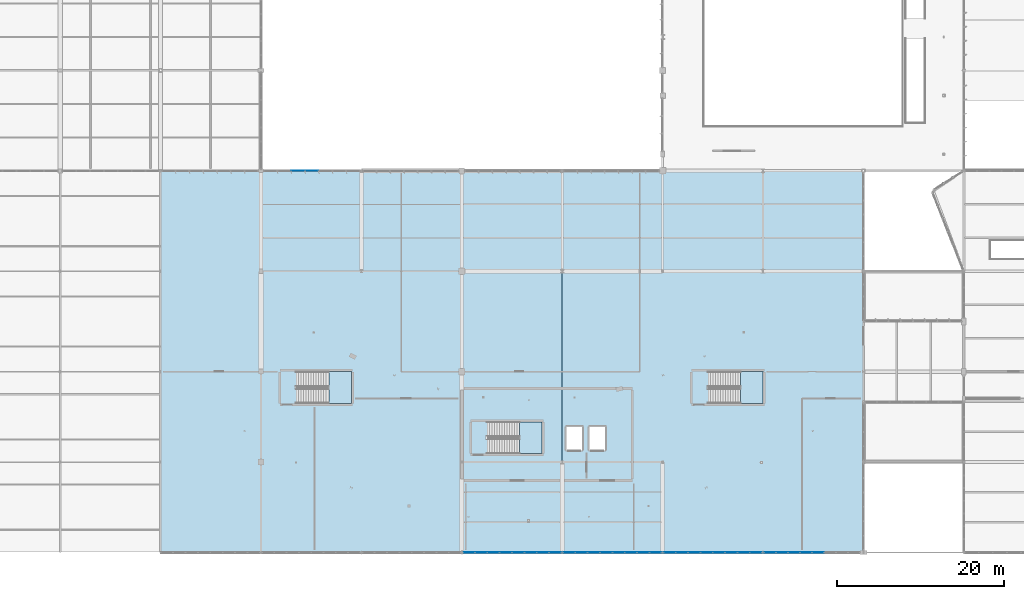
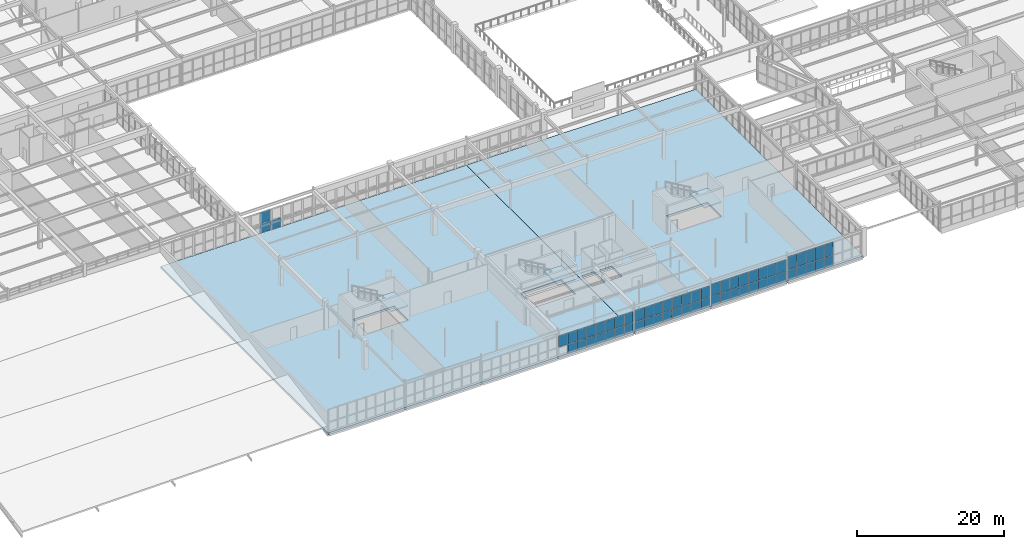
# One storey, part 137 of 226: 60 plates, 5 slabs, 8 elements without a shape of their own.
"""IFC4 building model written with IfcOpenShell, lengths in metres."""

from ifc_helpers import new_model, si_unit, direction, frame, origin, origin_2d, place, context, subcontext, project, spatial, polyline, rectangle, outline, extrude, material, layer, layer_set, type_object, element, aggregate, save


model = new_model("IFC4")

# Units and contexts
model_context = context("Model", 3, precision=1e-05, world=origin(), true_north=direction((0.0, 1.0)))
body_context = subcontext(model_context, "Body", "Model", "MODEL_VIEW")
ifc_project = project(units=[si_unit("LENGTHUNIT", "METRE"), si_unit("AREAUNIT", "SQUARE_METRE"), si_unit("VOLUMEUNIT", "CUBIC_METRE"), si_unit("PLANEANGLEUNIT", "RADIAN"), si_unit("MASSUNIT", "GRAM", prefix="KILO")], contexts=[model_context])

# Site, building, storey
site_placement = place(None, origin())
site = spatial("IfcSite", under=ifc_project, at=site_placement, CompositionType="ELEMENT")
building_placement = place(site_placement, origin())
building = spatial("IfcBuilding", under=site, at=building_placement, Name="Tarnwether General Hospital", CompositionType="ELEMENT")
storey_placement = place(building_placement, frame((0.0, 0.0, 4.800048828125)))
storey = spatial("IfcBuildingStorey", under=building, at=storey_placement, Name="L01", CompositionType="ELEMENT", Elevation=4.800048828125)

# Curtain wall, plates
ifc_material_1 = material(Name="Anodised aluminium", Category="aluminium")
ifc_layer_1 = layer(ifc_material_1, 0.159912109375)
ifc_layer_set_1 = layer_set([ifc_layer_1], Name="Anodised aluminium")
curtain_wall_type_1 = type_object("IfcCurtainWallType", Name="CW-13", PredefinedType="NOTDEFINED", material=ifc_layer_set_1)
curtain_wall_1_placement = place(storey_placement, origin())
curtain_wall_1 = element("IfcCurtainWall", 1, at=curtain_wall_1_placement, inside=storey, type_object=curtain_wall_type_1, Name="Curtain Wall CWG-L01-1316_0-0329", PredefinedType="NOTDEFINED")
ifc_material_2 = material(Name="Double glazed low-E glass", Category="glass")
ifc_layer_2 = layer(ifc_material_2, 0.028076171875)
ifc_layer_set_2 = layer_set([ifc_layer_2], Name="Double glazed low-E glass")
plate_type = type_object("IfcPlateType", Name="PT-CWP1", PredefinedType="CURTAIN_PANEL", material=ifc_layer_set_2)
plate_1_placement = place(storey_placement, frame((126.56640625, 0.0, 0.059814453125), z_axis=(0.0, 0.0, 1.0), x_axis=(-1.0, 0.0, 0.0)))
plate_1 = element("IfcPlate", 2, at=plate_1_placement, type_object=plate_type, Name="CW-13 panel 4.1", PredefinedType="CURTAIN_PANEL", context=body_context, shape_type="SweptSolid", body=[
    extrude(rectangle(XDim=1.3759765625, YDim=0.028076171875, at=origin_2d()), origin(), (0.0, 0.0, 1.0), 1.72216796875),
])
plate_2_placement = place(storey_placement, frame((126.56640625, 0.0, 1.842041015625), z_axis=(0.0, 0.0, 1.0), x_axis=(-1.0, 0.0, 0.0)))
plate_2 = element("IfcPlate", 3, at=plate_2_placement, type_object=plate_type, Name="CW-13 panel 4.2", PredefinedType="CURTAIN_PANEL", context=body_context, shape_type="SweptSolid", body=[
    extrude(rectangle(XDim=1.3759765625, YDim=0.028076171875, at=origin_2d()), origin(), (0.0, 0.0, 1.0), 2.125),
])
plate_3_placement = place(storey_placement, frame((125.130615234375, 0.0, 0.059814453125), z_axis=(0.0, 0.0, 1.0), x_axis=(-1.0, 0.0, 0.0)))
plate_3 = element("IfcPlate", 4, at=plate_3_placement, type_object=plate_type, Name="CW-13 panel 5.1", PredefinedType="CURTAIN_PANEL", context=body_context, shape_type="SweptSolid", body=[
    extrude(rectangle(XDim=1.3759765625, YDim=0.028076171875, at=origin_2d()), origin(), (0.0, 0.0, 1.0), 1.72216796875),
])
plate_4_placement = place(storey_placement, frame((125.130615234375, 0.0, 1.842041015625), z_axis=(0.0, 0.0, 1.0), x_axis=(-1.0, 0.0, 0.0)))
plate_4 = element("IfcPlate", 5, at=plate_4_placement, type_object=plate_type, Name="CW-13 panel 5.2", PredefinedType="CURTAIN_PANEL", context=body_context, shape_type="SweptSolid", body=[
    extrude(rectangle(XDim=1.3759765625, YDim=0.028076171875, at=origin_2d()), origin(), (0.0, 0.0, 1.0), 2.125),
])
plate_5_placement = place(storey_placement, frame((123.694580078125, 0.0, 0.059814453125), z_axis=(0.0, 0.0, 1.0), x_axis=(-1.0, 0.0, 0.0)))
plate_5 = element("IfcPlate", 6, at=plate_5_placement, type_object=plate_type, Name="CW-13 panel 6.1", PredefinedType="CURTAIN_PANEL", context=body_context, shape_type="SweptSolid", body=[
    extrude(rectangle(XDim=1.3759765625, YDim=0.028076171875, at=origin_2d()), origin(), (0.0, 0.0, 1.0), 1.72216796875),
])
plate_6_placement = place(storey_placement, frame((123.694580078125, 0.0, 1.842041015625), z_axis=(0.0, 0.0, 1.0), x_axis=(-1.0, 0.0, 0.0)))
plate_6 = element("IfcPlate", 7, at=plate_6_placement, type_object=plate_type, Name="CW-13 panel 6.2", PredefinedType="CURTAIN_PANEL", context=body_context, shape_type="SweptSolid", body=[
    extrude(rectangle(XDim=1.3759765625, YDim=0.028076171875, at=origin_2d()), origin(), (0.0, 0.0, 1.0), 2.125),
])
plate_7_placement = place(storey_placement, frame((122.2587890625, 0.0, 0.059814453125), z_axis=(0.0, 0.0, 1.0), x_axis=(-1.0, 0.0, 0.0)))
plate_7 = element("IfcPlate", 8, at=plate_7_placement, type_object=plate_type, Name="CW-13 panel 7.1", PredefinedType="CURTAIN_PANEL", context=body_context, shape_type="SweptSolid", body=[
    extrude(rectangle(XDim=1.3759765625, YDim=0.028076171875, at=origin_2d()), origin(), (0.0, 0.0, 1.0), 1.72216796875),
])
plate_8_placement = place(storey_placement, frame((122.2587890625, 0.0, 1.842041015625), z_axis=(0.0, 0.0, 1.0), x_axis=(-1.0, 0.0, 0.0)))
plate_8 = element("IfcPlate", 9, at=plate_8_placement, type_object=plate_type, Name="CW-13 panel 7.2", PredefinedType="CURTAIN_PANEL", context=body_context, shape_type="SweptSolid", body=[
    extrude(rectangle(XDim=1.3759765625, YDim=0.028076171875, at=origin_2d()), origin(), (0.0, 0.0, 1.0), 2.125),
])
plate_9_placement = place(storey_placement, frame((120.837890625, 0.0, 0.059814453125), z_axis=(0.0, 0.0, 1.0), x_axis=(-1.0, 0.0, 0.0)))
plate_9 = element("IfcPlate", 10, at=plate_9_placement, type_object=plate_type, Name="CW-13 panel 8.1", PredefinedType="CURTAIN_PANEL", context=body_context, shape_type="SweptSolid", body=[
    extrude(rectangle(XDim=1.345947265625, YDim=0.028076171875, at=origin_2d()), origin(), (0.0, 0.0, 1.0), 1.72216796875),
])
plate_10_placement = place(storey_placement, frame((120.837890625, 0.0, 1.842041015625), z_axis=(0.0, 0.0, 1.0), x_axis=(-1.0, 0.0, 0.0)))
plate_10 = element("IfcPlate", 11, at=plate_10_placement, type_object=plate_type, Name="CW-13 panel 8.2", PredefinedType="CURTAIN_PANEL", context=body_context, shape_type="SweptSolid", body=[
    extrude(rectangle(XDim=1.345947265625, YDim=0.028076171875, at=origin_2d()), origin(), (0.0, 0.0, 1.0), 2.125),
])
aggregate(curtain_wall_1, [plate_1, plate_2, plate_3, plate_4, plate_5, plate_6, plate_7, plate_8, plate_9, plate_10])

curtain_wall_2_placement = place(storey_placement, origin())
curtain_wall_2 = element("IfcCurtainWall", 12, at=curtain_wall_2_placement, inside=storey, type_object=curtain_wall_type_1, Name="Curtain Wall CWG-L01-1199_0-0330", PredefinedType="NOTDEFINED")
plate_11_placement = place(storey_placement, frame((119.14208984375, 0.0, 0.06005859375), z_axis=(0.0, 0.0, 1.0), x_axis=(-1.0, 0.0, 0.0)))
plate_11 = element("IfcPlate", 13, at=plate_11_placement, type_object=plate_type, Name="CW-13 panel 1.1", PredefinedType="CURTAIN_PANEL", context=body_context, shape_type="SweptSolid", body=[
    extrude(rectangle(XDim=1.385986328125, YDim=0.028076171875, at=origin_2d()), origin(), (0.0, 0.0, 1.0), 1.56591796875),
])
plate_12_placement = place(storey_placement, frame((119.14208984375, 0.0, 1.685791015625), z_axis=(0.0, 0.0, 1.0), x_axis=(-1.0, 0.0, 0.0)))
plate_12 = element("IfcPlate", 14, at=plate_12_placement, type_object=plate_type, Name="CW-13 panel 1.2", PredefinedType="CURTAIN_PANEL", context=body_context, shape_type="SweptSolid", body=[
    extrude(rectangle(XDim=1.385986328125, YDim=0.028076171875, at=origin_2d()), origin(), (0.0, 0.0, 1.0), 1.93408203125),
])
plate_13_placement = place(storey_placement, frame((117.680908203125, 0.0, 0.06005859375), z_axis=(0.0, 0.0, 1.0), x_axis=(-1.0, 0.0, 0.0)))
plate_13 = element("IfcPlate", 15, at=plate_13_placement, type_object=plate_type, Name="CW-13 panel 2.1", PredefinedType="CURTAIN_PANEL", context=body_context, shape_type="SweptSolid", body=[
    extrude(rectangle(XDim=1.416015625, YDim=0.028076171875, at=origin_2d()), origin(), (0.0, 0.0, 1.0), 1.56591796875),
])
plate_14_placement = place(storey_placement, frame((117.680908203125, 0.0, 1.685791015625), z_axis=(0.0, 0.0, 1.0), x_axis=(-1.0, 0.0, 0.0)))
plate_14 = element("IfcPlate", 16, at=plate_14_placement, type_object=plate_type, Name="CW-13 panel 2.2", PredefinedType="CURTAIN_PANEL", context=body_context, shape_type="SweptSolid", body=[
    extrude(rectangle(XDim=1.416015625, YDim=0.028076171875, at=origin_2d()), origin(), (0.0, 0.0, 1.0), 1.93408203125),
])
plate_15_placement = place(storey_placement, frame((116.205078125, 0.0, 0.06005859375), z_axis=(0.0, 0.0, 1.0), x_axis=(-1.0, 0.0, 0.0)))
plate_15 = element("IfcPlate", 17, at=plate_15_placement, type_object=plate_type, Name="CW-13 panel 3.1", PredefinedType="CURTAIN_PANEL", context=body_context, shape_type="SweptSolid", body=[
    extrude(rectangle(XDim=1.416015625, YDim=0.028076171875, at=origin_2d()), origin(), (0.0, 0.0, 1.0), 1.56591796875),
])
plate_16_placement = place(storey_placement, frame((116.205078125, 0.0, 1.685791015625), z_axis=(0.0, 0.0, 1.0), x_axis=(-1.0, 0.0, 0.0)))
plate_16 = element("IfcPlate", 18, at=plate_16_placement, type_object=plate_type, Name="CW-13 panel 3.2", PredefinedType="CURTAIN_PANEL", context=body_context, shape_type="SweptSolid", body=[
    extrude(rectangle(XDim=1.416015625, YDim=0.028076171875, at=origin_2d()), origin(), (0.0, 0.0, 1.0), 1.93408203125),
])
plate_17_placement = place(storey_placement, frame((114.72900390625, 0.0, 0.06005859375), z_axis=(0.0, 0.0, 1.0), x_axis=(-1.0, 0.0, 0.0)))
plate_17 = element("IfcPlate", 19, at=plate_17_placement, type_object=plate_type, Name="CW-13 panel 4.1", PredefinedType="CURTAIN_PANEL", context=body_context, shape_type="SweptSolid", body=[
    extrude(rectangle(XDim=1.416015625, YDim=0.028076171875, at=origin_2d()), origin(), (0.0, 0.0, 1.0), 1.56591796875),
])
plate_18_placement = place(storey_placement, frame((114.72900390625, 0.0, 1.685791015625), z_axis=(0.0, 0.0, 1.0), x_axis=(-1.0, 0.0, 0.0)))
plate_18 = element("IfcPlate", 20, at=plate_18_placement, type_object=plate_type, Name="CW-13 panel 4.2", PredefinedType="CURTAIN_PANEL", context=body_context, shape_type="SweptSolid", body=[
    extrude(rectangle(XDim=1.416015625, YDim=0.028076171875, at=origin_2d()), origin(), (0.0, 0.0, 1.0), 1.93408203125),
])
plate_19_placement = place(storey_placement, frame((113.2529296875, 0.0, 0.06005859375), z_axis=(0.0, 0.0, 1.0), x_axis=(-1.0, 0.0, 0.0)))
plate_19 = element("IfcPlate", 21, at=plate_19_placement, type_object=plate_type, Name="CW-13 panel 5.1", PredefinedType="CURTAIN_PANEL", context=body_context, shape_type="SweptSolid", body=[
    extrude(rectangle(XDim=1.416015625, YDim=0.028076171875, at=origin_2d()), origin(), (0.0, 0.0, 1.0), 1.56591796875),
])
plate_20_placement = place(storey_placement, frame((113.2529296875, 0.0, 1.685791015625), z_axis=(0.0, 0.0, 1.0), x_axis=(-1.0, 0.0, 0.0)))
plate_20 = element("IfcPlate", 22, at=plate_20_placement, type_object=plate_type, Name="CW-13 panel 5.2", PredefinedType="CURTAIN_PANEL", context=body_context, shape_type="SweptSolid", body=[
    extrude(rectangle(XDim=1.416015625, YDim=0.028076171875, at=origin_2d()), origin(), (0.0, 0.0, 1.0), 1.93408203125),
])
plate_21_placement = place(storey_placement, frame((111.777099609375, 0.0, 0.06005859375), z_axis=(0.0, 0.0, 1.0), x_axis=(-1.0, 0.0, 0.0)))
plate_21 = element("IfcPlate", 23, at=plate_21_placement, type_object=plate_type, Name="CW-13 panel 6.1", PredefinedType="CURTAIN_PANEL", context=body_context, shape_type="SweptSolid", body=[
    extrude(rectangle(XDim=1.416015625, YDim=0.028076171875, at=origin_2d()), origin(), (0.0, 0.0, 1.0), 1.56591796875),
])
plate_22_placement = place(storey_placement, frame((111.777099609375, 0.0, 1.685791015625), z_axis=(0.0, 0.0, 1.0), x_axis=(-1.0, 0.0, 0.0)))
plate_22 = element("IfcPlate", 24, at=plate_22_placement, type_object=plate_type, Name="CW-13 panel 6.2", PredefinedType="CURTAIN_PANEL", context=body_context, shape_type="SweptSolid", body=[
    extrude(rectangle(XDim=1.416015625, YDim=0.028076171875, at=origin_2d()), origin(), (0.0, 0.0, 1.0), 1.93408203125),
])
plate_23_placement = place(storey_placement, frame((110.301025390625, 0.0, 0.06005859375), z_axis=(0.0, 0.0, 1.0), x_axis=(-1.0, 0.0, 0.0)))
plate_23 = element("IfcPlate", 25, at=plate_23_placement, type_object=plate_type, Name="CW-13 panel 7.1", PredefinedType="CURTAIN_PANEL", context=body_context, shape_type="SweptSolid", body=[
    extrude(rectangle(XDim=1.416015625, YDim=0.028076171875, at=origin_2d()), origin(), (0.0, 0.0, 1.0), 1.56591796875),
])
plate_24_placement = place(storey_placement, frame((110.301025390625, 0.0, 1.685791015625), z_axis=(0.0, 0.0, 1.0), x_axis=(-1.0, 0.0, 0.0)))
plate_24 = element("IfcPlate", 26, at=plate_24_placement, type_object=plate_type, Name="CW-13 panel 7.2", PredefinedType="CURTAIN_PANEL", context=body_context, shape_type="SweptSolid", body=[
    extrude(rectangle(XDim=1.416015625, YDim=0.028076171875, at=origin_2d()), origin(), (0.0, 0.0, 1.0), 1.93408203125),
])
plate_25_placement = place(storey_placement, frame((108.840087890625, 0.0, 0.06005859375), z_axis=(0.0, 0.0, 1.0), x_axis=(-1.0, 0.0, 0.0)))
plate_25 = element("IfcPlate", 27, at=plate_25_placement, type_object=plate_type, Name="CW-13 panel 8.1", PredefinedType="CURTAIN_PANEL", context=body_context, shape_type="SweptSolid", body=[
    extrude(rectangle(XDim=1.385986328125, YDim=0.028076171875, at=origin_2d()), origin(), (0.0, 0.0, 1.0), 1.56591796875),
])
plate_26_placement = place(storey_placement, frame((108.840087890625, 0.0, 1.685791015625), z_axis=(0.0, 0.0, 1.0), x_axis=(-1.0, 0.0, 0.0)))
plate_26 = element("IfcPlate", 28, at=plate_26_placement, type_object=plate_type, Name="CW-13 panel 8.2", PredefinedType="CURTAIN_PANEL", context=body_context, shape_type="SweptSolid", body=[
    extrude(rectangle(XDim=1.385986328125, YDim=0.028076171875, at=origin_2d()), origin(), (0.0, 0.0, 1.0), 1.93408203125),
])
aggregate(curtain_wall_2, [plate_11, plate_12, plate_13, plate_14, plate_15, plate_16, plate_17, plate_18, plate_19, plate_20, plate_21, plate_22, plate_23, plate_24, plate_25, plate_26])

curtain_wall_3_placement = place(storey_placement, origin())
curtain_wall_3 = element("IfcCurtainWall", 29, at=curtain_wall_3_placement, inside=storey, type_object=curtain_wall_type_1, Name="Curtain Wall CWG-L01-1079_0-0331", PredefinedType="NOTDEFINED")
plate_27_placement = place(storey_placement, frame((107.15869140625, 0.0, 0.059814453125), z_axis=(0.0, 0.0, 1.0), x_axis=(-1.0, 0.0, 0.0)))
plate_27 = element("IfcPlate", 30, at=plate_27_placement, type_object=plate_type, Name="CW-13 panel 1.1", PredefinedType="CURTAIN_PANEL", context=body_context, shape_type="SweptSolid", body=[
    extrude(rectangle(XDim=1.388671875, YDim=0.028076171875, at=origin_2d()), origin(), (0.0, 0.0, 1.0), 1.49853515625),
])
plate_28_placement = place(storey_placement, frame((107.15869140625, 0.0, 1.618408203125), z_axis=(0.0, 0.0, 1.0), x_axis=(-1.0, 0.0, 0.0)))
plate_28 = element("IfcPlate", 31, at=plate_28_placement, type_object=plate_type, Name="CW-13 panel 1.2", PredefinedType="CURTAIN_PANEL", context=body_context, shape_type="SweptSolid", body=[
    extrude(rectangle(XDim=1.388671875, YDim=0.028076171875, at=origin_2d()), origin(), (0.0, 0.0, 1.0), 1.8515625),
])
plate_29_placement = place(storey_placement, frame((105.69482421875, 0.0, 0.059814453125), z_axis=(0.0, 0.0, 1.0), x_axis=(-1.0, 0.0, 0.0)))
plate_29 = element("IfcPlate", 32, at=plate_29_placement, type_object=plate_type, Name="CW-13 panel 2.1", PredefinedType="CURTAIN_PANEL", context=body_context, shape_type="SweptSolid", body=[
    extrude(rectangle(XDim=1.418701171875, YDim=0.028076171875, at=origin_2d()), origin(), (0.0, 0.0, 1.0), 1.49853515625),
])
plate_30_placement = place(storey_placement, frame((105.69482421875, 0.0, 1.618408203125), z_axis=(0.0, 0.0, 1.0), x_axis=(-1.0, 0.0, 0.0)))
plate_30 = element("IfcPlate", 33, at=plate_30_placement, type_object=plate_type, Name="CW-13 panel 2.2", PredefinedType="CURTAIN_PANEL", context=body_context, shape_type="SweptSolid", body=[
    extrude(rectangle(XDim=1.418701171875, YDim=0.028076171875, at=origin_2d()), origin(), (0.0, 0.0, 1.0), 1.8515625),
])
plate_31_placement = place(storey_placement, frame((104.216064453125, 0.0, 0.059814453125), z_axis=(0.0, 0.0, 1.0), x_axis=(-1.0, 0.0, 0.0)))
plate_31 = element("IfcPlate", 34, at=plate_31_placement, type_object=plate_type, Name="CW-13 panel 3.1", PredefinedType="CURTAIN_PANEL", context=body_context, shape_type="SweptSolid", body=[
    extrude(rectangle(XDim=1.418701171875, YDim=0.028076171875, at=origin_2d()), origin(), (0.0, 0.0, 1.0), 1.49853515625),
])
plate_32_placement = place(storey_placement, frame((104.216064453125, 0.0, 1.618408203125), z_axis=(0.0, 0.0, 1.0), x_axis=(-1.0, 0.0, 0.0)))
plate_32 = element("IfcPlate", 35, at=plate_32_placement, type_object=plate_type, Name="CW-13 panel 3.2", PredefinedType="CURTAIN_PANEL", context=body_context, shape_type="SweptSolid", body=[
    extrude(rectangle(XDim=1.418701171875, YDim=0.028076171875, at=origin_2d()), origin(), (0.0, 0.0, 1.0), 1.8515625),
])
plate_33_placement = place(storey_placement, frame((102.7373046875, 0.0, 0.059814453125), z_axis=(0.0, 0.0, 1.0), x_axis=(-1.0, 0.0, 0.0)))
plate_33 = element("IfcPlate", 36, at=plate_33_placement, type_object=plate_type, Name="CW-13 panel 4.1", PredefinedType="CURTAIN_PANEL", context=body_context, shape_type="SweptSolid", body=[
    extrude(rectangle(XDim=1.418701171875, YDim=0.028076171875, at=origin_2d()), origin(), (0.0, 0.0, 1.0), 1.49853515625),
])
plate_34_placement = place(storey_placement, frame((102.7373046875, 0.0, 1.618408203125), z_axis=(0.0, 0.0, 1.0), x_axis=(-1.0, 0.0, 0.0)))
plate_34 = element("IfcPlate", 37, at=plate_34_placement, type_object=plate_type, Name="CW-13 panel 4.2", PredefinedType="CURTAIN_PANEL", context=body_context, shape_type="SweptSolid", body=[
    extrude(rectangle(XDim=1.418701171875, YDim=0.028076171875, at=origin_2d()), origin(), (0.0, 0.0, 1.0), 1.8515625),
])
plate_35_placement = place(storey_placement, frame((101.258544921875, 0.0, 0.059814453125), z_axis=(0.0, 0.0, 1.0), x_axis=(-1.0, 0.0, 0.0)))
plate_35 = element("IfcPlate", 38, at=plate_35_placement, type_object=plate_type, Name="CW-13 panel 5.1", PredefinedType="CURTAIN_PANEL", context=body_context, shape_type="SweptSolid", body=[
    extrude(rectangle(XDim=1.418701171875, YDim=0.028076171875, at=origin_2d()), origin(), (0.0, 0.0, 1.0), 1.49853515625),
])
plate_36_placement = place(storey_placement, frame((101.258544921875, 0.0, 1.618408203125), z_axis=(0.0, 0.0, 1.0), x_axis=(-1.0, 0.0, 0.0)))
plate_36 = element("IfcPlate", 39, at=plate_36_placement, type_object=plate_type, Name="CW-13 panel 5.2", PredefinedType="CURTAIN_PANEL", context=body_context, shape_type="SweptSolid", body=[
    extrude(rectangle(XDim=1.418701171875, YDim=0.028076171875, at=origin_2d()), origin(), (0.0, 0.0, 1.0), 1.8515625),
])
plate_37_placement = place(storey_placement, frame((99.77978515625, 0.0, 0.059814453125), z_axis=(0.0, 0.0, 1.0), x_axis=(-1.0, 0.0, 0.0)))
plate_37 = element("IfcPlate", 40, at=plate_37_placement, type_object=plate_type, Name="CW-13 panel 6.1", PredefinedType="CURTAIN_PANEL", context=body_context, shape_type="SweptSolid", body=[
    extrude(rectangle(XDim=1.418701171875, YDim=0.028076171875, at=origin_2d()), origin(), (0.0, 0.0, 1.0), 1.49853515625),
])
plate_38_placement = place(storey_placement, frame((99.77978515625, 0.0, 1.618408203125), z_axis=(0.0, 0.0, 1.0), x_axis=(-1.0, 0.0, 0.0)))
plate_38 = element("IfcPlate", 41, at=plate_38_placement, type_object=plate_type, Name="CW-13 panel 6.2", PredefinedType="CURTAIN_PANEL", context=body_context, shape_type="SweptSolid", body=[
    extrude(rectangle(XDim=1.418701171875, YDim=0.028076171875, at=origin_2d()), origin(), (0.0, 0.0, 1.0), 1.8515625),
])
plate_39_placement = place(storey_placement, frame((98.301025390625, 0.0, 0.059814453125), z_axis=(0.0, 0.0, 1.0), x_axis=(-1.0, 0.0, 0.0)))
plate_39 = element("IfcPlate", 42, at=plate_39_placement, type_object=plate_type, Name="CW-13 panel 7.1", PredefinedType="CURTAIN_PANEL", context=body_context, shape_type="SweptSolid", body=[
    extrude(rectangle(XDim=1.418701171875, YDim=0.028076171875, at=origin_2d()), origin(), (0.0, 0.0, 1.0), 1.49853515625),
])
plate_40_placement = place(storey_placement, frame((98.301025390625, 0.0, 1.618408203125), z_axis=(0.0, 0.0, 1.0), x_axis=(-1.0, 0.0, 0.0)))
plate_40 = element("IfcPlate", 43, at=plate_40_placement, type_object=plate_type, Name="CW-13 panel 7.2", PredefinedType="CURTAIN_PANEL", context=body_context, shape_type="SweptSolid", body=[
    extrude(rectangle(XDim=1.418701171875, YDim=0.028076171875, at=origin_2d()), origin(), (0.0, 0.0, 1.0), 1.8515625),
])
plate_41_placement = place(storey_placement, frame((96.83740234375, 0.0, 0.059814453125), z_axis=(0.0, 0.0, 1.0), x_axis=(-1.0, 0.0, 0.0)))
plate_41 = element("IfcPlate", 44, at=plate_41_placement, type_object=plate_type, Name="CW-13 panel 8.1", PredefinedType="CURTAIN_PANEL", context=body_context, shape_type="SweptSolid", body=[
    extrude(rectangle(XDim=1.388671875, YDim=0.028076171875, at=origin_2d()), origin(), (0.0, 0.0, 1.0), 1.49853515625),
])
plate_42_placement = place(storey_placement, frame((96.83740234375, 0.0, 1.618408203125), z_axis=(0.0, 0.0, 1.0), x_axis=(-1.0, 0.0, 0.0)))
plate_42 = element("IfcPlate", 45, at=plate_42_placement, type_object=plate_type, Name="CW-13 panel 8.2", PredefinedType="CURTAIN_PANEL", context=body_context, shape_type="SweptSolid", body=[
    extrude(rectangle(XDim=1.388671875, YDim=0.028076171875, at=origin_2d()), origin(), (0.0, 0.0, 1.0), 1.8515625),
])
aggregate(curtain_wall_3, [plate_27, plate_28, plate_29, plate_30, plate_31, plate_32, plate_33, plate_34, plate_35, plate_36, plate_37, plate_38, plate_39, plate_40, plate_41, plate_42])

curtain_wall_4_placement = place(storey_placement, origin())
curtain_wall_4 = element("IfcCurtainWall", 46, at=curtain_wall_4_placement, inside=storey, type_object=curtain_wall_type_1, Name="Curtain Wall CWG-L01-959_0-0332", PredefinedType="NOTDEFINED")
plate_43_placement = place(storey_placement, frame((95.162353515625, 0.0, 0.059814453125), z_axis=(0.0, 0.0, 1.0), x_axis=(-1.0, 0.0, 0.0)))
plate_43 = element("IfcPlate", 47, at=plate_43_placement, type_object=plate_type, Name="CW-13 panel 1.1", PredefinedType="CURTAIN_PANEL", context=body_context, shape_type="SweptSolid", body=[
    extrude(rectangle(XDim=1.38916015625, YDim=0.028076171875, at=origin_2d()), origin(), (0.0, 0.0, 1.0), 1.47607421875),
])
plate_44_placement = place(storey_placement, frame((95.162353515625, 0.0, 1.59619140625), z_axis=(0.0, 0.0, 1.0), x_axis=(-1.0, 0.0, 0.0)))
plate_44 = element("IfcPlate", 48, at=plate_44_placement, type_object=plate_type, Name="CW-13 panel 1.2", PredefinedType="CURTAIN_PANEL", context=body_context, shape_type="SweptSolid", body=[
    extrude(rectangle(XDim=1.38916015625, YDim=0.028076171875, at=origin_2d()), origin(), (0.0, 0.0, 1.0), 1.823974609375),
])
plate_45_placement = place(storey_placement, frame((93.6982421875, 0.0, 0.059814453125), z_axis=(0.0, 0.0, 1.0), x_axis=(-1.0, 0.0, 0.0)))
plate_45 = element("IfcPlate", 49, at=plate_45_placement, type_object=plate_type, Name="CW-13 panel 2.1", PredefinedType="CURTAIN_PANEL", context=body_context, shape_type="SweptSolid", body=[
    extrude(rectangle(XDim=1.419189453125, YDim=0.028076171875, at=origin_2d()), origin(), (0.0, 0.0, 1.0), 1.47607421875),
])
plate_46_placement = place(storey_placement, frame((93.6982421875, 0.0, 1.59619140625), z_axis=(0.0, 0.0, 1.0), x_axis=(-1.0, 0.0, 0.0)))
plate_46 = element("IfcPlate", 50, at=plate_46_placement, type_object=plate_type, Name="CW-13 panel 2.2", PredefinedType="CURTAIN_PANEL", context=body_context, shape_type="SweptSolid", body=[
    extrude(rectangle(XDim=1.419189453125, YDim=0.028076171875, at=origin_2d()), origin(), (0.0, 0.0, 1.0), 1.823974609375),
])
plate_47_placement = place(storey_placement, frame((92.218994140625, 0.0, 0.059814453125), z_axis=(0.0, 0.0, 1.0), x_axis=(-1.0, 0.0, 0.0)))
plate_47 = element("IfcPlate", 51, at=plate_47_placement, type_object=plate_type, Name="CW-13 panel 3.1", PredefinedType="CURTAIN_PANEL", context=body_context, shape_type="SweptSolid", body=[
    extrude(rectangle(XDim=1.419189453125, YDim=0.028076171875, at=origin_2d()), origin(), (0.0, 0.0, 1.0), 1.47607421875),
])
plate_48_placement = place(storey_placement, frame((92.218994140625, 0.0, 1.59619140625), z_axis=(0.0, 0.0, 1.0), x_axis=(-1.0, 0.0, 0.0)))
plate_48 = element("IfcPlate", 52, at=plate_48_placement, type_object=plate_type, Name="CW-13 panel 3.2", PredefinedType="CURTAIN_PANEL", context=body_context, shape_type="SweptSolid", body=[
    extrude(rectangle(XDim=1.419189453125, YDim=0.028076171875, at=origin_2d()), origin(), (0.0, 0.0, 1.0), 1.823974609375),
])
plate_49_placement = place(storey_placement, frame((90.73974609375, 0.0, 0.059814453125), z_axis=(0.0, 0.0, 1.0), x_axis=(-1.0, 0.0, 0.0)))
plate_49 = element("IfcPlate", 53, at=plate_49_placement, type_object=plate_type, Name="CW-13 panel 4.1", PredefinedType="CURTAIN_PANEL", context=body_context, shape_type="SweptSolid", body=[
    extrude(rectangle(XDim=1.419189453125, YDim=0.028076171875, at=origin_2d()), origin(), (0.0, 0.0, 1.0), 1.47607421875),
])
plate_50_placement = place(storey_placement, frame((90.73974609375, 0.0, 1.59619140625), z_axis=(0.0, 0.0, 1.0), x_axis=(-1.0, 0.0, 0.0)))
plate_50 = element("IfcPlate", 54, at=plate_50_placement, type_object=plate_type, Name="CW-13 panel 4.2", PredefinedType="CURTAIN_PANEL", context=body_context, shape_type="SweptSolid", body=[
    extrude(rectangle(XDim=1.419189453125, YDim=0.028076171875, at=origin_2d()), origin(), (0.0, 0.0, 1.0), 1.823974609375),
])
plate_51_placement = place(storey_placement, frame((89.26025390625, 0.0, 0.059814453125), z_axis=(0.0, 0.0, 1.0), x_axis=(-1.0, 0.0, 0.0)))
plate_51 = element("IfcPlate", 55, at=plate_51_placement, type_object=plate_type, Name="CW-13 panel 5.1", PredefinedType="CURTAIN_PANEL", context=body_context, shape_type="SweptSolid", body=[
    extrude(rectangle(XDim=1.419189453125, YDim=0.028076171875, at=origin_2d()), origin(), (0.0, 0.0, 1.0), 1.47607421875),
])
plate_52_placement = place(storey_placement, frame((89.26025390625, 0.0, 1.59619140625), z_axis=(0.0, 0.0, 1.0), x_axis=(-1.0, 0.0, 0.0)))
plate_52 = element("IfcPlate", 56, at=plate_52_placement, type_object=plate_type, Name="CW-13 panel 5.2", PredefinedType="CURTAIN_PANEL", context=body_context, shape_type="SweptSolid", body=[
    extrude(rectangle(XDim=1.419189453125, YDim=0.028076171875, at=origin_2d()), origin(), (0.0, 0.0, 1.0), 1.823974609375),
])
plate_53_placement = place(storey_placement, frame((87.781005859375, 0.0, 0.059814453125), z_axis=(0.0, 0.0, 1.0), x_axis=(-1.0, 0.0, 0.0)))
plate_53 = element("IfcPlate", 57, at=plate_53_placement, type_object=plate_type, Name="CW-13 panel 6.1", PredefinedType="CURTAIN_PANEL", context=body_context, shape_type="SweptSolid", body=[
    extrude(rectangle(XDim=1.419189453125, YDim=0.028076171875, at=origin_2d()), origin(), (0.0, 0.0, 1.0), 1.47607421875),
])
plate_54_placement = place(storey_placement, frame((87.781005859375, 0.0, 1.59619140625), z_axis=(0.0, 0.0, 1.0), x_axis=(-1.0, 0.0, 0.0)))
plate_54 = element("IfcPlate", 58, at=plate_54_placement, type_object=plate_type, Name="CW-13 panel 6.2", PredefinedType="CURTAIN_PANEL", context=body_context, shape_type="SweptSolid", body=[
    extrude(rectangle(XDim=1.419189453125, YDim=0.028076171875, at=origin_2d()), origin(), (0.0, 0.0, 1.0), 1.823974609375),
])
plate_55_placement = place(storey_placement, frame((86.3017578125, 0.0, 0.059814453125), z_axis=(0.0, 0.0, 1.0), x_axis=(-1.0, 0.0, 0.0)))
plate_55 = element("IfcPlate", 59, at=plate_55_placement, type_object=plate_type, Name="CW-13 panel 7.1", PredefinedType="CURTAIN_PANEL", context=body_context, shape_type="SweptSolid", body=[
    extrude(rectangle(XDim=1.419189453125, YDim=0.028076171875, at=origin_2d()), origin(), (0.0, 0.0, 1.0), 1.47607421875),
])
plate_56_placement = place(storey_placement, frame((86.3017578125, 0.0, 1.59619140625), z_axis=(0.0, 0.0, 1.0), x_axis=(-1.0, 0.0, 0.0)))
plate_56 = element("IfcPlate", 60, at=plate_56_placement, type_object=plate_type, Name="CW-13 panel 7.2", PredefinedType="CURTAIN_PANEL", context=body_context, shape_type="SweptSolid", body=[
    extrude(rectangle(XDim=1.419189453125, YDim=0.028076171875, at=origin_2d()), origin(), (0.0, 0.0, 1.0), 1.823974609375),
])
plate_57_placement = place(storey_placement, frame((84.837646484375, 0.0, 1.59619140625), z_axis=(0.0, 0.0, 1.0), x_axis=(-1.0, 0.0, 0.0)))
plate_57 = element("IfcPlate", 61, at=plate_57_placement, type_object=plate_type, Name="CW-13 panel 8.2", PredefinedType="CURTAIN_PANEL", context=body_context, shape_type="SweptSolid", body=[
    extrude(rectangle(XDim=1.38916015625, YDim=0.028076171875, at=origin_2d()), origin(), (0.0, 0.0, 1.0), 1.823974609375),
])
aggregate(curtain_wall_4, [plate_43, plate_44, plate_45, plate_46, plate_47, plate_48, plate_49, plate_50, plate_51, plate_52, plate_53, plate_54, plate_55, plate_56, plate_57])

ifc_material_3 = material(Name="Anodised aluminium", Category="aluminium")
ifc_layer_3 = layer(ifc_material_3, 0.159912109375)
ifc_layer_set_3 = layer_set([ifc_layer_3], Name="Anodised aluminium")
curtain_wall_type_2 = type_object("IfcCurtainWallType", Name="CW-24", PredefinedType="NOTDEFINED", material=ifc_layer_set_3)
curtain_wall_5_placement = place(storey_placement, origin())
curtain_wall_5 = element("IfcCurtainWall", 62, at=curtain_wall_5_placement, inside=storey, type_object=curtain_wall_type_2, Name="Curtain Wall CWG-L01-718_456-0346", PredefinedType="NOTDEFINED")
plate_58_placement = place(storey_placement, frame((66.073974609375, 45.60009765625, 0.059814453125), z_axis=(0.0, 0.0, 1.0), x_axis=(-1.0, 0.0, 0.0)))
plate_58 = element("IfcPlate", 63, at=plate_58_placement, type_object=plate_type, Name="CW-24 panel 4.1", PredefinedType="CURTAIN_PANEL", context=body_context, shape_type="SweptSolid", body=[
    extrude(rectangle(XDim=1.58740234375, YDim=0.028076171875, at=origin_2d()), origin(), (0.0, 0.0, 1.0), 1.47607421875),
])
plate_59_placement = place(storey_placement, frame((64.426513671875, 45.60009765625, 0.059814453125), z_axis=(0.0, 0.0, 1.0), x_axis=(-1.0, 0.0, 0.0)))
plate_59 = element("IfcPlate", 64, at=plate_59_placement, type_object=plate_type, Name="CW-24 panel 5.1", PredefinedType="CURTAIN_PANEL", context=body_context, shape_type="SweptSolid", body=[
    extrude(rectangle(XDim=1.58740234375, YDim=0.028076171875, at=origin_2d()), origin(), (0.0, 0.0, 1.0), 1.47607421875),
])
plate_60_placement = place(storey_placement, frame((64.426513671875, 45.60009765625, 1.59619140625), z_axis=(0.0, 0.0, 1.0), x_axis=(-1.0, 0.0, 0.0)))
plate_60 = element("IfcPlate", 65, at=plate_60_placement, type_object=plate_type, Name="CW-24 panel 5.2", PredefinedType="CURTAIN_PANEL", context=body_context, shape_type="SweptSolid", body=[
    extrude(rectangle(XDim=1.58740234375, YDim=0.028076171875, at=origin_2d()), origin(), (0.0, 0.0, 1.0), 1.823974609375),
])
aggregate(curtain_wall_5, [plate_58, plate_59, plate_60])

# Slabs
ifc_material_4 = material(Name="Concrete 40 MPa", Category="concrete")
ifc_layer_4 = layer(ifc_material_4, 0.35498046875)
ifc_layer_set_4 = layer_set([ifc_layer_4], Name="Concrete 40 MPa")
slab_type_1 = type_object("IfcSlabType", Name="SL-FL220", PredefinedType="FLOOR", material=ifc_layer_set_4)
slab_1_placement = place(storey_placement, frame((0.0, 0.0, -0.35498046875)))
element("IfcSlab", 66, at=slab_1_placement, inside=storey, type_object=slab_type_1, Name="L01 Endoscopy West Floor SL-L01-V4S1", PredefinedType="FLOOR", context=body_context, shape_type="SweptSolid", body=[
    extrude(outline(polyline([(48.0, 0.0), (48.0, 45.60009765625), (96.0, 45.60009765625), (96.0, 0.0), (48.0, 0.0)]), holes=[polyline([(93.60009765625, 15.60009765625), (87.179931640625, 15.60009765625), (87.179931640625, 11.800048828125), (93.60009765625, 11.800048828125), (93.60009765625, 15.60009765625)]), polyline([(70.800048828125, 21.60009765625), (64.3798828125, 21.60009765625), (64.3798828125, 17.800048828125), (70.800048828125, 17.800048828125), (70.800048828125, 21.60009765625)])]), origin(), (0.0, 0.0, 1.0), 0.35498046875),
])
slab_2_placement = place(storey_placement, frame((0.0, 0.0, -0.35498046875)))
element("IfcSlab", 67, at=slab_2_placement, inside=storey, type_object=slab_type_1, Name="L01 Endoscopy East Floor SL-L01-V4S2", PredefinedType="FLOOR", context=body_context, shape_type="SweptSolid", body=[
    extrude(outline(polyline([(96.0, 0.0), (96.0, 45.60009765625), (132.0, 45.60009765625), (132.0, 0.0), (96.0, 0.0)]), holes=[polyline([(98.429931640625, 15.030029296875), (96.469970703125, 15.030029296875), (96.469970703125, 12.169921875), (98.429931640625, 12.169921875), (98.429931640625, 15.030029296875)]), polyline([(101.179931640625, 15.030029296875), (99.219970703125, 15.030029296875), (99.219970703125, 12.169921875), (101.179931640625, 12.169921875), (101.179931640625, 15.030029296875)]), polyline([(120.0, 21.60009765625), (113.580078125, 21.60009765625), (113.580078125, 17.800048828125), (120.0, 17.800048828125), (120.0, 21.60009765625)])]), origin(), (0.0, 0.0, 1.0), 0.35498046875),
])

# Stair, slab
ifc_material_5 = material(Name="Concrete 40 MPa", Category="concrete")
stair_type_1 = type_object("IfcStairType", Name="ST-DL48B", PredefinedType="HALF_TURN_STAIR", material=ifc_material_5)
stair_1_placement = place(storey_placement, origin())
stair_1 = element("IfcStair", 68, at=stair_1_placement, inside=storey, type_object=stair_type_1, Name="L01 Exit Stair ST-02", PredefinedType="HALF_TURN_STAIR")
ifc_material_6 = material(Name="Concrete 40 MPa", Category="concrete")
ifc_layer_5 = layer(ifc_material_6, 0.199951171875)
ifc_layer_set_5 = layer_set([ifc_layer_5], Name="Concrete 40 MPa")
slab_type_2 = type_object("IfcSlabType", Name="SL-LD200", PredefinedType="LANDING", material=ifc_layer_set_5)
slab_3_placement = place(storey_placement, frame((0.0, 0.0, 2.199951171875)))
slab_3 = element("IfcSlab", 69, at=slab_3_placement, type_object=slab_type_2, Name="ST-02 landing 1", PredefinedType="LANDING", context=body_context, shape_type="SweptSolid", body=[
    extrude(outline(polyline([(90.89990234375, 11.800048828125), (93.60009765625, 11.800048828125), (93.60009765625, 15.60009765625), (90.89990234375, 15.60009765625), (90.89990234375, 11.800048828125)])), origin(), (0.0, 0.0, 1.0), 0.199951171875),
])
aggregate(stair_1, [slab_3])

ifc_material_7 = material(Name="Concrete 40 MPa", Category="concrete")
stair_type_2 = type_object("IfcStairType", Name="ST-DL48A", PredefinedType="HALF_TURN_STAIR", material=ifc_material_7)
stair_2_placement = place(storey_placement, origin())
stair_2 = element("IfcStair", 70, at=stair_2_placement, inside=storey, type_object=stair_type_2, Name="L01 Exit Stair ST-09", PredefinedType="HALF_TURN_STAIR")
slab_4_placement = place(storey_placement, frame((0.0, 0.0, 2.199951171875)))
slab_4 = element("IfcSlab", 71, at=slab_4_placement, type_object=slab_type_2, Name="ST-09 landing 1", PredefinedType="LANDING", context=body_context, shape_type="SweptSolid", body=[
    extrude(outline(polyline([(68.10009765625, 17.800048828125), (70.800048828125, 17.800048828125), (70.800048828125, 21.60009765625), (68.10009765625, 21.60009765625), (68.10009765625, 17.800048828125)])), origin(), (0.0, 0.0, 1.0), 0.199951171875),
])
aggregate(stair_2, [slab_4])

stair_3_placement = place(storey_placement, origin())
stair_3 = element("IfcStair", 72, at=stair_3_placement, inside=storey, type_object=stair_type_1, Name="L01 Exit Stair ST-10", PredefinedType="HALF_TURN_STAIR")
slab_5_placement = place(storey_placement, frame((0.0, 0.0, 2.199951171875)))
slab_5 = element("IfcSlab", 73, at=slab_5_placement, type_object=slab_type_2, Name="ST-10 landing 1", PredefinedType="LANDING", context=body_context, shape_type="SweptSolid", body=[
    extrude(outline(polyline([(117.300048828125, 17.800048828125), (120.0, 17.800048828125), (120.0, 21.60009765625), (117.300048828125, 21.60009765625), (117.300048828125, 17.800048828125)])), origin(), (0.0, 0.0, 1.0), 0.199951171875),
])
aggregate(stair_3, [slab_5])

save(model, "model.ifc")
